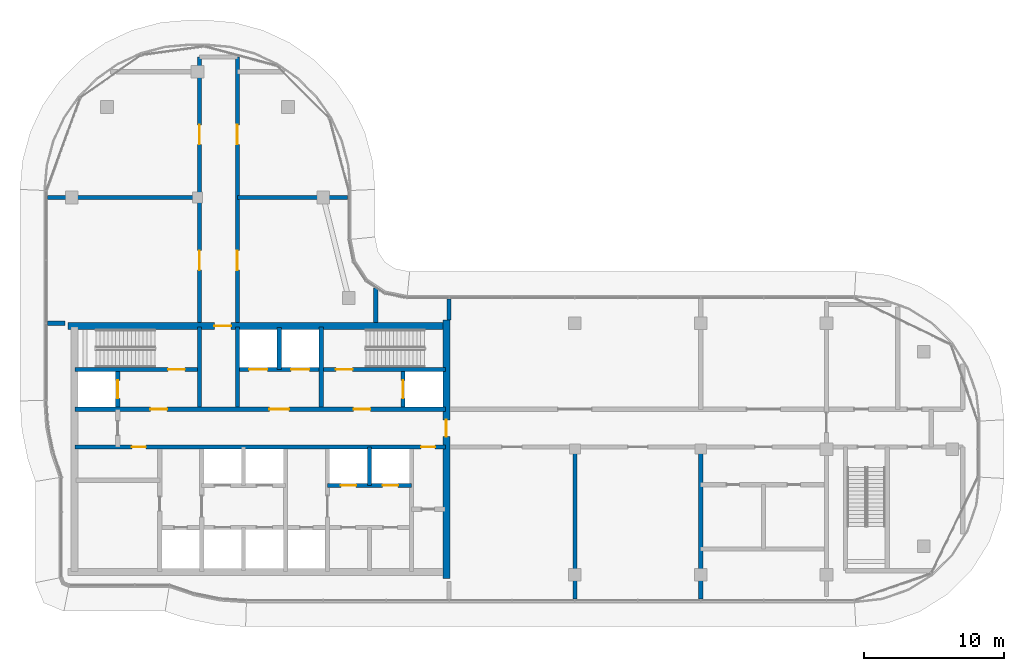
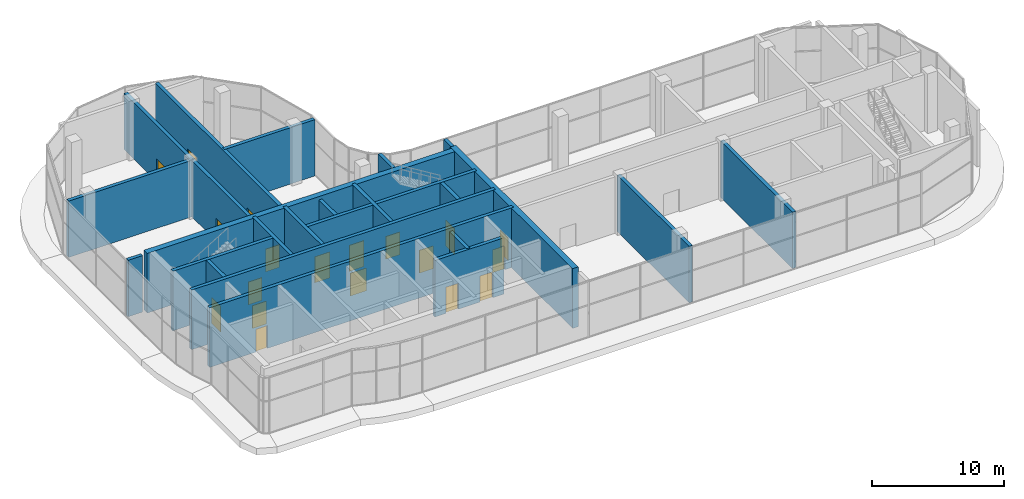
# One storey, part 14 of 23: 23 walls, 19 doors, 19 openings.
"""IFC4 building model written with IfcOpenShell, lengths in metres."""

from ifc_helpers import new_model, si_unit, direction, frame, frame_2d, origin, place, context, subcontext, project, spatial, rectangle, extrude, material, layer, layer_set, type_object, element, fill, save


model = new_model("IFC4")

# Units and contexts
model_context = context("Model", 3, precision=1e-05, world=origin(), true_north=direction((0.0, 1.0)))
body_context = subcontext(model_context, "Body", "Model", "MODEL_VIEW")
ifc_project = project(units=[si_unit("LENGTHUNIT", "METRE"), si_unit("AREAUNIT", "SQUARE_METRE"), si_unit("VOLUMEUNIT", "CUBIC_METRE"), si_unit("PLANEANGLEUNIT", "RADIAN"), si_unit("MASSUNIT", "GRAM", prefix="KILO")], contexts=[model_context])

# Site, building, storey
site_placement = place(None, origin())
site = spatial("IfcSite", under=ifc_project, at=site_placement, CompositionType="ELEMENT")
building_placement = place(site_placement, origin())
building = spatial("IfcBuilding", under=site, at=building_placement, Name="Ogive Portal Towers", CompositionType="ELEMENT")
storey_placement = place(building_placement, frame((0.0, 0.0, 249.39990234375)))
storey = spatial("IfcBuildingStorey", under=building, at=storey_placement, Name="L62", CompositionType="ELEMENT", Elevation=249.39990234375)

# Wall, openings, doors
ifc_material_1 = material(Name="Concrete C60/75", Category="concrete")
ifc_layer_1 = layer(ifc_material_1, 0.300048828125)
ifc_layer_set_1 = layer_set([ifc_layer_1], Name="CORE WALL 300 C60")
wall_type_1 = type_object("IfcWallType", Name="CORE WALL 300 C60", PredefinedType="SHEAR", material=ifc_layer_set_1)
wall_1_placement = place(storey_placement, frame((31.75, 30.64990234375, 0.0), z_axis=(0.0, 0.0, 1.0), x_axis=(1.0, 0.0, 0.0)))
wall_1 = element("IfcWall", 1, at=wall_1_placement, inside=storey, type_object=wall_type_1, Name="Core wall Y1 L62", PredefinedType="SHEAR", context=body_context, shape_type="SweptSolid", body=[
    extrude(rectangle(XDim=26.5, YDim=0.300048828125, at=frame_2d((13.25, 0.0))), origin(), (0.0, 0.0, 1.0), 5.5),
])
opening_1_placement = place(wall_1_placement, frame((24.75, 0.0, 0.0)))
opening_1 = element("IfcOpeningElement", 2, at=opening_1_placement, cuts=wall_1, Name="Opening D28-010", PredefinedType="OPENING", context=body_context, shape_type="SweptSolid", body=[
    extrude(rectangle(XDim=1.0, YDim=2.10009765625, at=frame_2d((0.5, 1.050048828125))), frame((0.0, 0.16015625, 0.0), z_axis=(0.0, -1.0, 0.0), x_axis=(1.0, 0.0, 0.0)), (0.0, 0.0, 1.0), 0.320068359375),
])
opening_2_placement = place(wall_1_placement, frame((4.050048828125, 0.0, 0.0)))
opening_2 = element("IfcOpeningElement", 3, at=opening_2_placement, cuts=wall_1, Name="Opening D28-024", PredefinedType="OPENING", context=body_context, shape_type="SweptSolid", body=[
    extrude(rectangle(XDim=1.0, YDim=2.10009765625, at=frame_2d((0.5, 1.050048828125))), frame((0.0, 0.16015625, 0.0), z_axis=(0.0, -1.0, 0.0), x_axis=(1.0, 0.0, 0.0)), (0.0, 0.0, 1.0), 0.320068359375),
])
ifc_material_2 = material(Name="Steel fire door", Category="steel")
door_type_1 = type_object("IfcDoorType", Name="DT-SWING-1000x2100-FD90S", OperationType="SINGLE_SWING_LEFT", PredefinedType="DOOR", material=ifc_material_2)
door_1_placement = place(opening_1_placement, origin())
door_1 = element("IfcDoor", 4, at=door_1_placement, inside=storey, type_object=door_type_1, Name="Door D28-010", OperationType="SINGLE_SWING_LEFT", OverallHeight=2.10009765625, OverallWidth=1.0, PredefinedType="DOOR", context=body_context, shape_type="SweptSolid", body=[
    extrude(rectangle(XDim=1.0, YDim=2.10009765625, at=frame_2d((0.5, 1.050048828125))), frame((0.0, 0.02490234375, 0.0), z_axis=(0.0, -1.0, 0.0), x_axis=(1.0, 0.0, 0.0)), (0.0, 0.0, 1.0), 0.050048828125),
])
fill(opening_1, door_1)
door_2_placement = place(opening_2_placement, origin())
door_2 = element("IfcDoor", 5, at=door_2_placement, inside=storey, type_object=door_type_1, Name="Riser access door D28-024", OperationType="SINGLE_SWING_LEFT", OverallHeight=2.10009765625, OverallWidth=1.0, PredefinedType="DOOR", context=body_context, shape_type="SweptSolid", body=[
    extrude(rectangle(XDim=1.0, YDim=2.10009765625, at=frame_2d((0.5, 1.050048828125))), frame((0.0, 0.02490234375, 0.0), z_axis=(0.0, -1.0, 0.0), x_axis=(1.0, 0.0, 0.0)), (0.0, 0.0, 1.0), 0.050048828125),
])
fill(opening_2, door_2)

wall_2_placement = place(storey_placement, frame((31.75, 33.35009765625, 0.0), z_axis=(0.0, 0.0, 1.0), x_axis=(1.0, 0.0, 0.0)))
wall_2 = element("IfcWall", 6, at=wall_2_placement, inside=storey, type_object=wall_type_1, Name="Core wall Y2 L62", PredefinedType="SHEAR", context=body_context, shape_type="SweptSolid", body=[
    extrude(rectangle(XDim=26.5, YDim=0.300048828125, at=frame_2d((13.25, 0.0))), origin(), (0.0, 0.0, 1.0), 5.5),
])
opening_3_placement = place(wall_2_placement, frame((13.89990234375, 0.0, 0.0)))
opening_3 = element("IfcOpeningElement", 7, at=opening_3_placement, cuts=wall_2, Name="Opening D28-003", PredefinedType="OPENING", context=body_context, shape_type="SweptSolid", body=[
    extrude(rectangle(XDim=1.39990234375, YDim=2.10009765625, at=frame_2d((0.699951171875, 1.050048828125))), frame((0.0, 0.16015625, 0.0), z_axis=(0.0, -1.0, 0.0), x_axis=(1.0, 0.0, 0.0)), (0.0, 0.0, 1.0), 0.320068359375),
])
opening_4_placement = place(wall_2_placement, frame((5.375, 0.0, 0.0)))
opening_4 = element("IfcOpeningElement", 8, at=opening_4_placement, cuts=wall_2, Name="Opening D28-004", PredefinedType="OPENING", context=body_context, shape_type="SweptSolid", body=[
    extrude(rectangle(XDim=1.199951171875, YDim=2.10009765625, at=frame_2d((0.60009765625, 1.050048828125))), frame((0.0, 0.16015625, 0.0), z_axis=(0.0, -1.0, 0.0), x_axis=(1.0, 0.0, 0.0)), (0.0, 0.0, 1.0), 0.320068359375),
])
opening_5_placement = place(wall_2_placement, frame((19.925048828125, 0.0, 0.0)))
opening_5 = element("IfcOpeningElement", 9, at=opening_5_placement, cuts=wall_2, Name="Opening D28-005", PredefinedType="OPENING", context=body_context, shape_type="SweptSolid", body=[
    extrude(rectangle(XDim=1.199951171875, YDim=2.10009765625, at=frame_2d((0.60009765625, 1.050048828125))), frame((0.0, 0.16015625, 0.0), z_axis=(0.0, -1.0, 0.0), x_axis=(1.0, 0.0, 0.0)), (0.0, 0.0, 1.0), 0.320068359375),
])
door_type_2 = type_object("IfcDoorType", Name="DT-SWING-1200x2100-FD90S", OperationType="SINGLE_SWING_LEFT", PredefinedType="DOOR", material=ifc_material_2)
door_3_placement = place(opening_4_placement, origin())
door_3 = element("IfcDoor", 10, at=door_3_placement, inside=storey, type_object=door_type_2, Name="Door D28-004", OperationType="SINGLE_SWING_LEFT", OverallHeight=2.10009765625, OverallWidth=1.199951171875, PredefinedType="DOOR", context=body_context, shape_type="SweptSolid", body=[
    extrude(rectangle(XDim=1.199951171875, YDim=2.10009765625, at=frame_2d((0.60009765625, 1.050048828125))), frame((0.0, 0.02490234375, 0.0), z_axis=(0.0, -1.0, 0.0), x_axis=(1.0, 0.0, 0.0)), (0.0, 0.0, 1.0), 0.050048828125),
])
fill(opening_4, door_3)
door_4_placement = place(opening_5_placement, origin())
door_4 = element("IfcDoor", 11, at=door_4_placement, inside=storey, type_object=door_type_2, Name="Door D28-005", OperationType="SINGLE_SWING_RIGHT", OverallHeight=2.10009765625, OverallWidth=1.199951171875, PredefinedType="DOOR", context=body_context, shape_type="SweptSolid", body=[
    extrude(rectangle(XDim=1.199951171875, YDim=2.10009765625, at=frame_2d((0.60009765625, 1.050048828125))), frame((0.0, 0.02490234375, 0.0), z_axis=(0.0, -1.0, 0.0), x_axis=(1.0, 0.0, 0.0)), (0.0, 0.0, 1.0), 0.050048828125),
])
fill(opening_5, door_4)
door_type_3 = type_object("IfcDoorType", Name="DT-SWING-1400x2100-FD90S", OperationType="SINGLE_SWING_LEFT", PredefinedType="DOOR", material=ifc_material_2)
door_5_placement = place(opening_3_placement, origin())
door_5 = element("IfcDoor", 12, at=door_5_placement, inside=storey, type_object=door_type_3, Name="Door D28-003", OperationType="SINGLE_SWING_RIGHT", OverallHeight=2.10009765625, OverallWidth=1.39990234375, PredefinedType="DOOR", context=body_context, shape_type="SweptSolid", body=[
    extrude(rectangle(XDim=1.39990234375, YDim=2.10009765625, at=frame_2d((0.699951171875, 1.050048828125))), frame((0.0, 0.02490234375, 0.0), z_axis=(0.0, -1.0, 0.0), x_axis=(1.0, 0.0, 0.0)), (0.0, 0.0, 1.0), 0.050048828125),
])
fill(opening_3, door_5)

# Wall, opening, door
wall_3_placement = place(storey_placement, frame((31.75, 36.199951171875, 0.0), z_axis=(0.0, 0.0, 1.0), x_axis=(1.0, 0.0, 0.0)))
wall_3 = element("IfcWall", 13, at=wall_3_placement, inside=storey, type_object=wall_type_1, Name="Core wall Y3a L62", PredefinedType="SHEAR", context=body_context, shape_type="SweptSolid", body=[
    extrude(rectangle(XDim=8.75, YDim=0.300048828125, at=frame_2d((4.375, 0.0))), origin(), (0.0, 0.0, 1.0), 5.5),
])
opening_6_placement = place(wall_3_placement, frame((6.64990234375, 0.0, 0.0)))
opening_6 = element("IfcOpeningElement", 14, at=opening_6_placement, cuts=wall_3, Name="Opening D28-006", PredefinedType="OPENING", context=body_context, shape_type="SweptSolid", body=[
    extrude(rectangle(XDim=1.199951171875, YDim=2.10009765625, at=frame_2d((0.60009765625, 1.050048828125))), frame((0.0, 0.16015625, 0.0), z_axis=(0.0, -1.0, 0.0), x_axis=(1.0, 0.0, 0.0)), (0.0, 0.0, 1.0), 0.320068359375),
])
door_6_placement = place(opening_6_placement, origin())
door_6 = element("IfcDoor", 15, at=door_6_placement, inside=storey, type_object=door_type_2, Name="Door D28-006", OperationType="SINGLE_SWING_RIGHT", OverallHeight=2.10009765625, OverallWidth=1.199951171875, PredefinedType="DOOR", context=body_context, shape_type="SweptSolid", body=[
    extrude(rectangle(XDim=1.199951171875, YDim=2.10009765625, at=frame_2d((0.60009765625, 1.050048828125))), frame((0.0, 0.02490234375, 0.0), z_axis=(0.0, -1.0, 0.0), x_axis=(1.0, 0.0, 0.0)), (0.0, 0.0, 1.0), 0.050048828125),
])
fill(opening_6, door_6)

# Wall, openings, doors
wall_4_placement = place(storey_placement, frame((43.5, 36.199951171875, 0.0), z_axis=(0.0, 0.0, 1.0), x_axis=(1.0, 0.0, 0.0)))
wall_4 = element("IfcWall", 16, at=wall_4_placement, inside=storey, type_object=wall_type_1, Name="Core wall Y3b L62", PredefinedType="SHEAR", context=body_context, shape_type="SweptSolid", body=[
    extrude(rectangle(XDim=14.75, YDim=0.300048828125, at=frame_2d((7.375, 0.0))), origin(), (0.0, 0.0, 1.0), 5.5),
])
opening_7_placement = place(wall_4_placement, frame((6.89990234375, 0.0, 0.0)))
opening_7 = element("IfcOpeningElement", 17, at=opening_7_placement, cuts=wall_4, Name="Opening D28-007", PredefinedType="OPENING", context=body_context, shape_type="SweptSolid", body=[
    extrude(rectangle(XDim=1.199951171875, YDim=2.10009765625, at=frame_2d((0.60009765625, 1.050048828125))), frame((0.0, 0.16015625, 0.0), z_axis=(0.0, -1.0, 0.0), x_axis=(1.0, 0.0, 0.0)), (0.0, 0.0, 1.0), 0.320068359375),
])
opening_8_placement = place(wall_4_placement, frame((0.699951171875, 0.0, 0.0)))
opening_8 = element("IfcOpeningElement", 18, at=opening_8_placement, cuts=wall_4, Name="Opening D28-020", PredefinedType="OPENING", context=body_context, shape_type="SweptSolid", body=[
    extrude(rectangle(XDim=1.300048828125, YDim=2.39990234375, at=frame_2d((0.64990234375, 1.199951171875))), frame((0.0, 0.16015625, 0.0), z_axis=(0.0, -1.0, 0.0), x_axis=(1.0, 0.0, 0.0)), (0.0, 0.0, 1.0), 0.320068359375),
])
opening_9_placement = place(wall_4_placement, frame((3.699951171875, 0.0, 0.0)))
opening_9 = element("IfcOpeningElement", 19, at=opening_9_placement, cuts=wall_4, Name="Opening D28-021", PredefinedType="OPENING", context=body_context, shape_type="SweptSolid", body=[
    extrude(rectangle(XDim=1.300048828125, YDim=2.39990234375, at=frame_2d((0.64990234375, 1.199951171875))), frame((0.0, 0.16015625, 0.0), z_axis=(0.0, -1.0, 0.0), x_axis=(1.0, 0.0, 0.0)), (0.0, 0.0, 1.0), 0.320068359375),
])
ifc_material_3 = material(Name="Stainless steel", Category="steel")
door_type_4 = type_object("IfcDoorType", Name="DT-LD-1300x2400", OperationType="SLIDING_TO_LEFT", PredefinedType="DOOR", material=ifc_material_3)
door_7_placement = place(opening_8_placement, origin())
door_7 = element("IfcDoor", 20, at=door_7_placement, inside=storey, type_object=door_type_4, Name="Door D28-020", OperationType="SLIDING_TO_LEFT", OverallHeight=2.39990234375, OverallWidth=1.300048828125, PredefinedType="DOOR", context=body_context, shape_type="SweptSolid", body=[
    extrude(rectangle(XDim=1.300048828125, YDim=2.39990234375, at=frame_2d((0.64990234375, 1.199951171875))), frame((0.0, 0.02490234375, 0.0), z_axis=(0.0, -1.0, 0.0), x_axis=(1.0, 0.0, 0.0)), (0.0, 0.0, 1.0), 0.050048828125),
])
fill(opening_8, door_7)
door_8_placement = place(opening_9_placement, origin())
door_8 = element("IfcDoor", 21, at=door_8_placement, inside=storey, type_object=door_type_4, Name="Door D28-021", OperationType="SLIDING_TO_LEFT", OverallHeight=2.39990234375, OverallWidth=1.300048828125, PredefinedType="DOOR", context=body_context, shape_type="SweptSolid", body=[
    extrude(rectangle(XDim=1.300048828125, YDim=2.39990234375, at=frame_2d((0.64990234375, 1.199951171875))), frame((0.0, 0.02490234375, 0.0), z_axis=(0.0, -1.0, 0.0), x_axis=(1.0, 0.0, 0.0)), (0.0, 0.0, 1.0), 0.050048828125),
])
fill(opening_9, door_8)
door_9_placement = place(opening_7_placement, origin())
door_9 = element("IfcDoor", 22, at=door_9_placement, inside=storey, type_object=door_type_2, Name="Door D28-007", OperationType="SINGLE_SWING_LEFT", OverallHeight=2.10009765625, OverallWidth=1.199951171875, PredefinedType="DOOR", context=body_context, shape_type="SweptSolid", body=[
    extrude(rectangle(XDim=1.199951171875, YDim=2.10009765625, at=frame_2d((0.60009765625, 1.050048828125))), frame((0.0, 0.02490234375, 0.0), z_axis=(0.0, -1.0, 0.0), x_axis=(1.0, 0.0, 0.0)), (0.0, 0.0, 1.0), 0.050048828125),
])
fill(opening_7, door_9)

# Walls
for number, where, z_axis, x_axis, name in (
    (23, (40.64990234375, 33.5, 0.0), (0.0, 0.0, 1.0), (0.0, 1.0, 0.0), "Core wall X6 L62"),
    (24, (43.35009765625, 33.5, 0.0), (0.0, 0.0, 1.0), (0.0, 1.0, 0.0), "Core wall X7 L62"),
):
    element("IfcWall", number, at=place(storey_placement, frame(where, z_axis=z_axis, x_axis=x_axis)), inside=storey, type_object=wall_type_1, Name=name, PredefinedType="SHEAR", context=body_context, shape_type="SweptSolid", body=[
        extrude(rectangle(XDim=5.75, YDim=0.300048828125, at=frame_2d((2.875, 0.0))), origin(), (0.0, 0.0, 1.0), 5.5),
    ])

# Wall, opening, door
wall_5_placement = place(storey_placement, frame((34.800048828125, 33.5, 0.0), z_axis=(0.0, 0.0, 1.0), x_axis=(0.0, 1.0, 0.0)))
wall_5 = element("IfcWall", 25, at=wall_5_placement, inside=storey, type_object=wall_type_1, Name="Core wall X8 L62", PredefinedType="SHEAR", context=body_context, shape_type="SweptSolid", body=[
    extrude(rectangle(XDim=2.550048828125, YDim=0.300048828125, at=frame_2d((1.27490234375, 0.0))), origin(), (0.0, 0.0, 1.0), 5.5),
])
opening_10_placement = place(wall_5_placement, frame((0.625, 0.0, 0.0)))
opening_10 = element("IfcOpeningElement", 26, at=opening_10_placement, cuts=wall_5, Name="Opening D28-022", PredefinedType="OPENING", context=body_context, shape_type="SweptSolid", body=[
    extrude(rectangle(XDim=1.300048828125, YDim=2.39990234375, at=frame_2d((0.64990234375, 1.199951171875))), frame((0.0, 0.16015625, 0.0), z_axis=(0.0, -1.0, 0.0), x_axis=(1.0, 0.0, 0.0)), (0.0, 0.0, 1.0), 0.320068359375),
])
door_10_placement = place(opening_10_placement, origin())
door_10 = element("IfcDoor", 27, at=door_10_placement, inside=storey, type_object=door_type_4, Name="Door D28-022", OperationType="SLIDING_TO_LEFT", OverallHeight=2.39990234375, OverallWidth=1.300048828125, PredefinedType="DOOR", context=body_context, shape_type="SweptSolid", body=[
    extrude(rectangle(XDim=1.300048828125, YDim=2.39990234375, at=frame_2d((0.64990234375, 1.199951171875))), frame((0.0, 0.02490234375, 0.0), z_axis=(0.0, -1.0, 0.0), x_axis=(1.0, 0.0, 0.0)), (0.0, 0.0, 1.0), 0.050048828125),
])
fill(opening_10, door_10)

# Wall
wall_6_placement = place(storey_placement, frame((49.35009765625, 33.5, 0.0), z_axis=(0.0, 0.0, 1.0), x_axis=(0.0, 1.0, 0.0)))
element("IfcWall", 28, at=wall_6_placement, inside=storey, type_object=wall_type_1, Name="Core wall X9 L62", PredefinedType="SHEAR", context=body_context, shape_type="SweptSolid", body=[
    extrude(rectangle(XDim=5.75, YDim=0.300048828125, at=frame_2d((2.875, 0.0))), origin(), (0.0, 0.0, 1.0), 5.5),
])

# Wall, opening, door
wall_7_placement = place(storey_placement, frame((55.199951171875, 33.5, 0.0), z_axis=(0.0, 0.0, 1.0), x_axis=(0.0, 1.0, 0.0)))
wall_7 = element("IfcWall", 29, at=wall_7_placement, inside=storey, type_object=wall_type_1, Name="Core wall X10 L62", PredefinedType="SHEAR", context=body_context, shape_type="SweptSolid", body=[
    extrude(rectangle(XDim=2.550048828125, YDim=0.300048828125, at=frame_2d((1.27490234375, 0.0))), origin(), (0.0, 0.0, 1.0), 5.5),
])
opening_11_placement = place(wall_7_placement, frame((0.625, 0.0, 0.0)))
opening_11 = element("IfcOpeningElement", 30, at=opening_11_placement, cuts=wall_7, Name="Opening D28-023", PredefinedType="OPENING", context=body_context, shape_type="SweptSolid", body=[
    extrude(rectangle(XDim=1.300048828125, YDim=2.39990234375, at=frame_2d((0.64990234375, 1.199951171875))), frame((0.0, 0.16015625, 0.0), z_axis=(0.0, -1.0, 0.0), x_axis=(1.0, 0.0, 0.0)), (0.0, 0.0, 1.0), 0.320068359375),
])
door_11_placement = place(opening_11_placement, origin())
door_11 = element("IfcDoor", 31, at=door_11_placement, inside=storey, type_object=door_type_4, Name="Door D28-023", OperationType="SLIDING_TO_LEFT", OverallHeight=2.39990234375, OverallWidth=1.300048828125, PredefinedType="DOOR", context=body_context, shape_type="SweptSolid", body=[
    extrude(rectangle(XDim=1.300048828125, YDim=2.39990234375, at=frame_2d((0.64990234375, 1.199951171875))), frame((0.0, 0.02490234375, 0.0), z_axis=(0.0, -1.0, 0.0), x_axis=(1.0, 0.0, 0.0)), (0.0, 0.0, 1.0), 0.050048828125),
])
fill(opening_11, door_11)

ifc_layer_2 = layer(ifc_material_1, 0.5)
ifc_layer_set_2 = layer_set([ifc_layer_2], Name="CORE WALL 500 C60")
wall_type_2 = type_object("IfcWallType", Name="CORE WALL 500 C60", PredefinedType="SHEAR", material=ifc_layer_set_2)
wall_8_placement = place(storey_placement, frame((58.300048828125, 21.25, 0.0), z_axis=(0.0, 0.0, 1.0), x_axis=(0.0, 1.0, 0.0)))
wall_8 = element("IfcWall", 32, at=wall_8_placement, inside=storey, type_object=wall_type_2, Name="Core wall E L62", PredefinedType="SHEAR", context=body_context, shape_type="SweptSolid", body=[
    extrude(rectangle(XDim=18.5, YDim=0.5, at=frame_2d((9.25, 0.0))), origin(), (0.0, 0.0, 1.0), 5.5),
])
opening_12_placement = place(wall_8_placement, frame((10.14990234375, 0.0, 0.0)))
opening_12 = element("IfcOpeningElement", 33, at=opening_12_placement, cuts=wall_8, Name="Opening D28-012", PredefinedType="OPENING", context=body_context, shape_type="SweptSolid", body=[
    extrude(rectangle(XDim=1.199951171875, YDim=2.10009765625, at=frame_2d((0.60009765625, 1.050048828125))), frame((0.0, 0.260009765625, 0.0), z_axis=(0.0, -1.0, 0.0), x_axis=(1.0, 0.0, 0.0)), (0.0, 0.0, 1.0), 0.52001953125),
])
door_12_placement = place(opening_12_placement, origin())
door_12 = element("IfcDoor", 34, at=door_12_placement, inside=storey, type_object=door_type_2, Name="Door D28-012", OperationType="SINGLE_SWING_LEFT", OverallHeight=2.10009765625, OverallWidth=1.199951171875, PredefinedType="DOOR", context=body_context, shape_type="SweptSolid", body=[
    extrude(rectangle(XDim=1.199951171875, YDim=2.10009765625, at=frame_2d((0.60009765625, 1.050048828125))), frame((0.0, 0.02490234375, 0.0), z_axis=(0.0, -1.0, 0.0), x_axis=(1.0, 0.0, 0.0)), (0.0, 0.0, 1.0), 0.050048828125),
])
fill(opening_12, door_12)

wall_9_placement = place(storey_placement, frame((31.25, 39.300048828125, 0.0), z_axis=(0.0, 0.0, 1.0), x_axis=(1.0, 0.0, 0.0)))
wall_9 = element("IfcWall", 35, at=wall_9_placement, inside=storey, type_object=wall_type_2, Name="Core wall N L62", PredefinedType="SHEAR", context=body_context, shape_type="SweptSolid", body=[
    extrude(rectangle(XDim=27.0, YDim=0.5, at=frame_2d((13.5, 0.0))), origin(), (0.0, 0.0, 1.0), 5.5),
])
opening_13_placement = place(wall_9_placement, frame((10.449951171875, 0.0, 0.0)))
opening_13 = element("IfcOpeningElement", 36, at=opening_13_placement, cuts=wall_9, Name="Opening D28-013", PredefinedType="OPENING", context=body_context, shape_type="SweptSolid", body=[
    extrude(rectangle(XDim=1.199951171875, YDim=2.10009765625, at=frame_2d((0.60009765625, 1.050048828125))), frame((0.0, 0.260009765625, 0.0), z_axis=(0.0, -1.0, 0.0), x_axis=(1.0, 0.0, 0.0)), (0.0, 0.0, 1.0), 0.52001953125),
])
door_13_placement = place(opening_13_placement, origin())
door_13 = element("IfcDoor", 37, at=door_13_placement, inside=storey, type_object=door_type_2, Name="Door D28-013", OperationType="SINGLE_SWING_RIGHT", OverallHeight=2.10009765625, OverallWidth=1.199951171875, PredefinedType="DOOR", context=body_context, shape_type="SweptSolid", body=[
    extrude(rectangle(XDim=1.199951171875, YDim=2.10009765625, at=frame_2d((0.60009765625, 1.050048828125))), frame((0.0, 0.02490234375, 0.0), z_axis=(0.0, -1.0, 0.0), x_axis=(1.0, 0.0, 0.0)), (0.0, 0.0, 1.0), 0.050048828125),
])
fill(opening_13, door_13)

# Walls
ifc_material_4 = material(Name="Gypsum board partition on steel studs", Category="steel")
ifc_layer_3 = layer(ifc_material_4, 0.300048828125)
ifc_layer_set_3 = layer_set([ifc_layer_3], Name="WT-PART-300-EI 60")
wall_type_3 = type_object("IfcWallType", Name="WT-PART-300-EI 60", PredefinedType="PARTITIONING", material=ifc_layer_set_3)
wall_10_placement = place(storey_placement, frame((29.77001953125, 39.5, 0.0), z_axis=(0.0, 0.0, 1.0), x_axis=(1.0, 0.0, 0.0)))
element("IfcWall", 38, at=wall_10_placement, inside=storey, type_object=wall_type_3, Name="Wall L62:w008", PredefinedType="PARTITIONING", context=body_context, shape_type="SweptSolid", body=[
    extrude(rectangle(XDim=1.260009765625, YDim=0.300048828125, at=frame_2d((0.6298828125, 0.0))), origin(), (0.0, 0.0, 1.0), 5.2001953125),
])
wall_11_placement = place(storey_placement, frame((29.77001953125, 48.5, 0.0), z_axis=(0.0, 0.0, 1.0), x_axis=(1.0, 0.0, 0.0)))
element("IfcWall", 39, at=wall_11_placement, inside=storey, type_object=wall_type_3, Name="Wall L62:w010", PredefinedType="PARTITIONING", context=body_context, shape_type="SweptSolid", body=[
    extrude(rectangle(XDim=10.8798828125, YDim=0.300048828125, at=frame_2d((5.43994140625, 0.0))), origin(), (0.0, 0.0, 1.0), 5.2001953125),
])
wall_12_placement = place(storey_placement, frame((43.35009765625, 48.5, 0.0), z_axis=(0.0, 0.0, 1.0), x_axis=(1.0, 0.0, 0.0)))
element("IfcWall", 40, at=wall_12_placement, inside=storey, type_object=wall_type_3, Name="Wall L62:w011", PredefinedType="PARTITIONING", context=body_context, shape_type="SweptSolid", body=[
    extrude(rectangle(XDim=7.8798828125, YDim=0.300048828125, at=frame_2d((3.93994140625, 0.0))), origin(), (0.0, 0.0, 1.0), 5.2001953125),
])

# Wall, openings, doors
wall_13_placement = place(storey_placement, frame((40.64990234375, 39.550048828125, 0.0), z_axis=(0.0, 0.0, 1.0), x_axis=(0.0, 1.0, 0.0)))
wall_13 = element("IfcWall", 41, at=wall_13_placement, inside=storey, type_object=wall_type_3, Name="Wall L62:w015", PredefinedType="PARTITIONING", context=body_context, shape_type="SweptSolid", body=[
    extrude(rectangle(XDim=19.0, YDim=0.300048828125, at=frame_2d((9.5, 0.0))), origin(), (0.0, 0.0, 1.0), 5.2001953125),
])
opening_14_placement = place(wall_13_placement, frame((3.75, 0.0, 0.0)))
opening_14 = element("IfcOpeningElement", 42, at=opening_14_placement, cuts=wall_13, Name="Opening D28-037", PredefinedType="OPENING", context=body_context, shape_type="SweptSolid", body=[
    extrude(rectangle(XDim=1.39990234375, YDim=2.10009765625, at=frame_2d((0.699951171875, 1.050048828125))), frame((0.0, 0.16015625, 0.0), z_axis=(0.0, -1.0, 0.0), x_axis=(1.0, 0.0, 0.0)), (0.0, 0.0, 1.0), 0.320068359375),
])
opening_15_placement = place(wall_13_placement, frame((12.75, 0.0, 0.0)))
opening_15 = element("IfcOpeningElement", 43, at=opening_15_placement, cuts=wall_13, Name="Opening D28-039", PredefinedType="OPENING", context=body_context, shape_type="SweptSolid", body=[
    extrude(rectangle(XDim=1.39990234375, YDim=2.10009765625, at=frame_2d((0.699951171875, 1.050048828125))), frame((0.0, 0.16015625, 0.0), z_axis=(0.0, -1.0, 0.0), x_axis=(1.0, 0.0, 0.0)), (0.0, 0.0, 1.0), 0.320068359375),
])
door_type_5 = type_object("IfcDoorType", Name="DT-ENTRY-1400x2100-FD60S", OperationType="SINGLE_SWING_LEFT", PredefinedType="DOOR", material=ifc_material_2)
door_14_placement = place(opening_14_placement, origin())
door_14 = element("IfcDoor", 44, at=door_14_placement, inside=storey, type_object=door_type_5, Name="Door D28-037", OperationType="SINGLE_SWING_LEFT", OverallHeight=2.10009765625, OverallWidth=1.39990234375, PredefinedType="DOOR", context=body_context, shape_type="SweptSolid", body=[
    extrude(rectangle(XDim=1.39990234375, YDim=2.10009765625, at=frame_2d((0.699951171875, 1.050048828125))), frame((0.0, 0.02490234375, 0.0), z_axis=(0.0, -1.0, 0.0), x_axis=(1.0, 0.0, 0.0)), (0.0, 0.0, 1.0), 0.050048828125),
])
fill(opening_14, door_14)
door_15_placement = place(opening_15_placement, origin())
door_15 = element("IfcDoor", 45, at=door_15_placement, inside=storey, type_object=door_type_5, Name="Door D28-039", OperationType="SINGLE_SWING_LEFT", OverallHeight=2.10009765625, OverallWidth=1.39990234375, PredefinedType="DOOR", context=body_context, shape_type="SweptSolid", body=[
    extrude(rectangle(XDim=1.39990234375, YDim=2.10009765625, at=frame_2d((0.699951171875, 1.050048828125))), frame((0.0, 0.02490234375, 0.0), z_axis=(0.0, -1.0, 0.0), x_axis=(1.0, 0.0, 0.0)), (0.0, 0.0, 1.0), 0.050048828125),
])
fill(opening_15, door_15)

wall_14_placement = place(storey_placement, frame((43.35009765625, 39.550048828125, 0.0), z_axis=(0.0, 0.0, 1.0), x_axis=(0.0, 1.0, 0.0)))
wall_14 = element("IfcWall", 46, at=wall_14_placement, inside=storey, type_object=wall_type_3, Name="Wall L62:w016", PredefinedType="PARTITIONING", context=body_context, shape_type="SweptSolid", body=[
    extrude(rectangle(XDim=19.0, YDim=0.300048828125, at=frame_2d((9.5, 0.0))), origin(), (0.0, 0.0, 1.0), 5.2001953125),
])
opening_16_placement = place(wall_14_placement, frame((3.75, 0.0, 0.0)))
opening_16 = element("IfcOpeningElement", 47, at=opening_16_placement, cuts=wall_14, Name="Opening D28-036", PredefinedType="OPENING", context=body_context, shape_type="SweptSolid", body=[
    extrude(rectangle(XDim=1.39990234375, YDim=2.10009765625, at=frame_2d((0.699951171875, 1.050048828125))), frame((0.0, 0.16015625, 0.0), z_axis=(0.0, -1.0, 0.0), x_axis=(1.0, 0.0, 0.0)), (0.0, 0.0, 1.0), 0.320068359375),
])
opening_17_placement = place(wall_14_placement, frame((12.75, 0.0, 0.0)))
opening_17 = element("IfcOpeningElement", 48, at=opening_17_placement, cuts=wall_14, Name="Opening D28-038", PredefinedType="OPENING", context=body_context, shape_type="SweptSolid", body=[
    extrude(rectangle(XDim=1.39990234375, YDim=2.10009765625, at=frame_2d((0.699951171875, 1.050048828125))), frame((0.0, 0.16015625, 0.0), z_axis=(0.0, -1.0, 0.0), x_axis=(1.0, 0.0, 0.0)), (0.0, 0.0, 1.0), 0.320068359375),
])
door_16_placement = place(opening_16_placement, origin())
door_16 = element("IfcDoor", 49, at=door_16_placement, inside=storey, type_object=door_type_5, Name="Door D28-036", OperationType="SINGLE_SWING_LEFT", OverallHeight=2.10009765625, OverallWidth=1.39990234375, PredefinedType="DOOR", context=body_context, shape_type="SweptSolid", body=[
    extrude(rectangle(XDim=1.39990234375, YDim=2.10009765625, at=frame_2d((0.699951171875, 1.050048828125))), frame((0.0, 0.02490234375, 0.0), z_axis=(0.0, -1.0, 0.0), x_axis=(1.0, 0.0, 0.0)), (0.0, 0.0, 1.0), 0.050048828125),
])
fill(opening_16, door_16)
door_17_placement = place(opening_17_placement, origin())
door_17 = element("IfcDoor", 50, at=door_17_placement, inside=storey, type_object=door_type_5, Name="Door D28-038", OperationType="SINGLE_SWING_LEFT", OverallHeight=2.10009765625, OverallWidth=1.39990234375, PredefinedType="DOOR", context=body_context, shape_type="SweptSolid", body=[
    extrude(rectangle(XDim=1.39990234375, YDim=2.10009765625, at=frame_2d((0.699951171875, 1.050048828125))), frame((0.0, 0.02490234375, 0.0), z_axis=(0.0, -1.0, 0.0), x_axis=(1.0, 0.0, 0.0)), (0.0, 0.0, 1.0), 0.050048828125),
])
fill(opening_17, door_17)

# Walls
wall_15_placement = place(storey_placement, frame((53.25, 39.550048828125, 0.0), z_axis=(0.0, 0.0, 1.0), x_axis=(0.0, 1.0, 0.0)))
element("IfcWall", 51, at=wall_15_placement, inside=storey, type_object=wall_type_3, Name="Wall L62:w017", PredefinedType="PARTITIONING", context=body_context, shape_type="SweptSolid", body=[
    extrude(rectangle(XDim=2.487060546875, YDim=0.300048828125, at=frame_2d((1.24365234375, 0.0))), origin(), (0.0, 0.0, 1.0), 5.2001953125),
])
wall_16_placement = place(storey_placement, frame((58.5, 39.75, 0.0), z_axis=(0.0, 0.0, 1.0), x_axis=(0.0, 1.0, 0.0)))
element("IfcWall", 52, at=wall_16_placement, inside=storey, type_object=wall_type_3, Name="Wall L62:w019", PredefinedType="PARTITIONING", context=body_context, shape_type="SweptSolid", body=[
    extrude(rectangle(XDim=1.47998046875, YDim=0.300048828125, at=frame_2d((0.739990234375, 0.0))), origin(), (0.0, 0.0, 1.0), 5.2001953125),
])
for number, where, z_axis, x_axis, name in (
    (53, (67.5, 19.77001953125, 0.0), (0.0, 0.0, 1.0), (0.0, 1.0, 0.0), "Wall L62:w020"),
    (54, (76.5, 19.77001953125, 0.0), (0.0, 0.0, 1.0), (0.0, 1.0, 0.0), "Wall L62:w021"),
):
    element("IfcWall", number, at=place(storey_placement, frame(where, z_axis=z_axis, x_axis=x_axis)), inside=storey, type_object=wall_type_3, Name=name, PredefinedType="PARTITIONING", context=body_context, shape_type="SweptSolid", body=[
        extrude(rectangle(XDim=10.8798828125, YDim=0.300048828125, at=frame_2d((5.43994140625, 0.0))), origin(), (0.0, 0.0, 1.0), 5.2001953125),
    ])

# Wall, openings, doors
ifc_material_5 = material(Name="Concrete C40/50", Category="concrete")
ifc_layer_4 = layer(ifc_material_5, 0.300048828125)
ifc_layer_set_4 = layer_set([ifc_layer_4], Name="WT-SHAFT-300")
wall_type_4 = type_object("IfcWallType", Name="WT-SHAFT-300", PredefinedType="SOLIDWALL", material=ifc_layer_set_4)
wall_17_placement = place(storey_placement, frame((49.800048828125, 27.89990234375, 0.0), z_axis=(0.0, 0.0, 1.0), x_axis=(1.0, 0.0, 0.0)))
wall_17 = element("IfcWall", 55, at=wall_17_placement, inside=storey, type_object=wall_type_4, Name="Wall pw:004:L62", PredefinedType="SOLIDWALL", context=body_context, shape_type="SweptSolid", body=[
    extrude(rectangle(XDim=6.0, YDim=0.300048828125, at=frame_2d((3.0, 0.0))), origin(), (0.0, 0.0, 1.0), 5.2001953125),
])
opening_18_placement = place(wall_17_placement, frame((0.949951171875, 0.0, 0.0)))
opening_18 = element("IfcOpeningElement", 56, at=opening_18_placement, cuts=wall_17, Name="Opening D28-018", PredefinedType="OPENING", context=body_context, shape_type="SweptSolid", body=[
    extrude(rectangle(XDim=1.10009765625, YDim=2.39990234375, at=frame_2d((0.550048828125, 1.199951171875))), frame((0.0, 0.16015625, 0.0), z_axis=(0.0, -1.0, 0.0), x_axis=(1.0, 0.0, 0.0)), (0.0, 0.0, 1.0), 0.320068359375),
])
opening_19_placement = place(wall_17_placement, frame((3.949951171875, 0.0, 0.0)))
opening_19 = element("IfcOpeningElement", 57, at=opening_19_placement, cuts=wall_17, Name="Opening D28-019", PredefinedType="OPENING", context=body_context, shape_type="SweptSolid", body=[
    extrude(rectangle(XDim=1.10009765625, YDim=2.39990234375, at=frame_2d((0.550048828125, 1.199951171875))), frame((0.0, 0.16015625, 0.0), z_axis=(0.0, -1.0, 0.0), x_axis=(1.0, 0.0, 0.0)), (0.0, 0.0, 1.0), 0.320068359375),
])
door_type_6 = type_object("IfcDoorType", Name="DT-LD-1100x2400", OperationType="SLIDING_TO_LEFT", PredefinedType="DOOR", material=ifc_material_3)
door_18_placement = place(opening_18_placement, origin())
door_18 = element("IfcDoor", 58, at=door_18_placement, inside=storey, type_object=door_type_6, Name="Door D28-018", OperationType="SLIDING_TO_LEFT", OverallHeight=2.39990234375, OverallWidth=1.10009765625, PredefinedType="DOOR", context=body_context, shape_type="SweptSolid", body=[
    extrude(rectangle(XDim=1.10009765625, YDim=2.39990234375, at=frame_2d((0.550048828125, 1.199951171875))), frame((0.0, 0.02490234375, 0.0), z_axis=(0.0, -1.0, 0.0), x_axis=(1.0, 0.0, 0.0)), (0.0, 0.0, 1.0), 0.050048828125),
])
fill(opening_18, door_18)
door_19_placement = place(opening_19_placement, origin())
door_19 = element("IfcDoor", 59, at=door_19_placement, inside=storey, type_object=door_type_6, Name="Door D28-019", OperationType="SLIDING_TO_LEFT", OverallHeight=2.39990234375, OverallWidth=1.10009765625, PredefinedType="DOOR", context=body_context, shape_type="SweptSolid", body=[
    extrude(rectangle(XDim=1.10009765625, YDim=2.39990234375, at=frame_2d((0.550048828125, 1.199951171875))), frame((0.0, 0.02490234375, 0.0), z_axis=(0.0, -1.0, 0.0), x_axis=(1.0, 0.0, 0.0)), (0.0, 0.0, 1.0), 0.050048828125),
])
fill(opening_19, door_19)

# Walls
wall_18_placement = place(storey_placement, frame((46.35009765625, 36.199951171875, 0.0), z_axis=(0.0, 0.0, 1.0), x_axis=(0.0, 1.0, 0.0)))
element("IfcWall", 60, at=wall_18_placement, inside=storey, type_object=wall_type_4, Name="Wall pw:009:L62", PredefinedType="SOLIDWALL", context=body_context, shape_type="SweptSolid", body=[
    extrude(rectangle(XDim=3.0, YDim=0.300048828125, at=frame_2d((1.5, 0.0))), origin(), (0.0, 0.0, 1.0), 5.2001953125),
])
wall_19_placement = place(storey_placement, frame((52.800048828125, 27.89990234375, 0.0), z_axis=(0.0, 0.0, 1.0), x_axis=(0.0, 1.0, 0.0)))
element("IfcWall", 61, at=wall_19_placement, inside=storey, type_object=wall_type_4, Name="Wall pw:011:L62", PredefinedType="SOLIDWALL", context=body_context, shape_type="SweptSolid", body=[
    extrude(rectangle(XDim=2.75, YDim=0.300048828125, at=frame_2d((1.375, 0.0))), origin(), (0.0, 0.0, 1.0), 5.2001953125),
])

save(model, "model.ifc")
